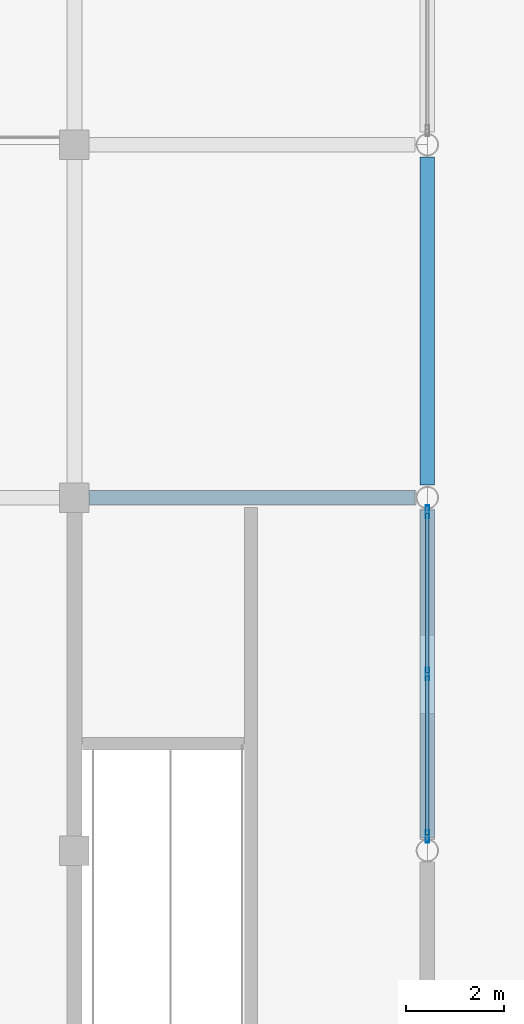
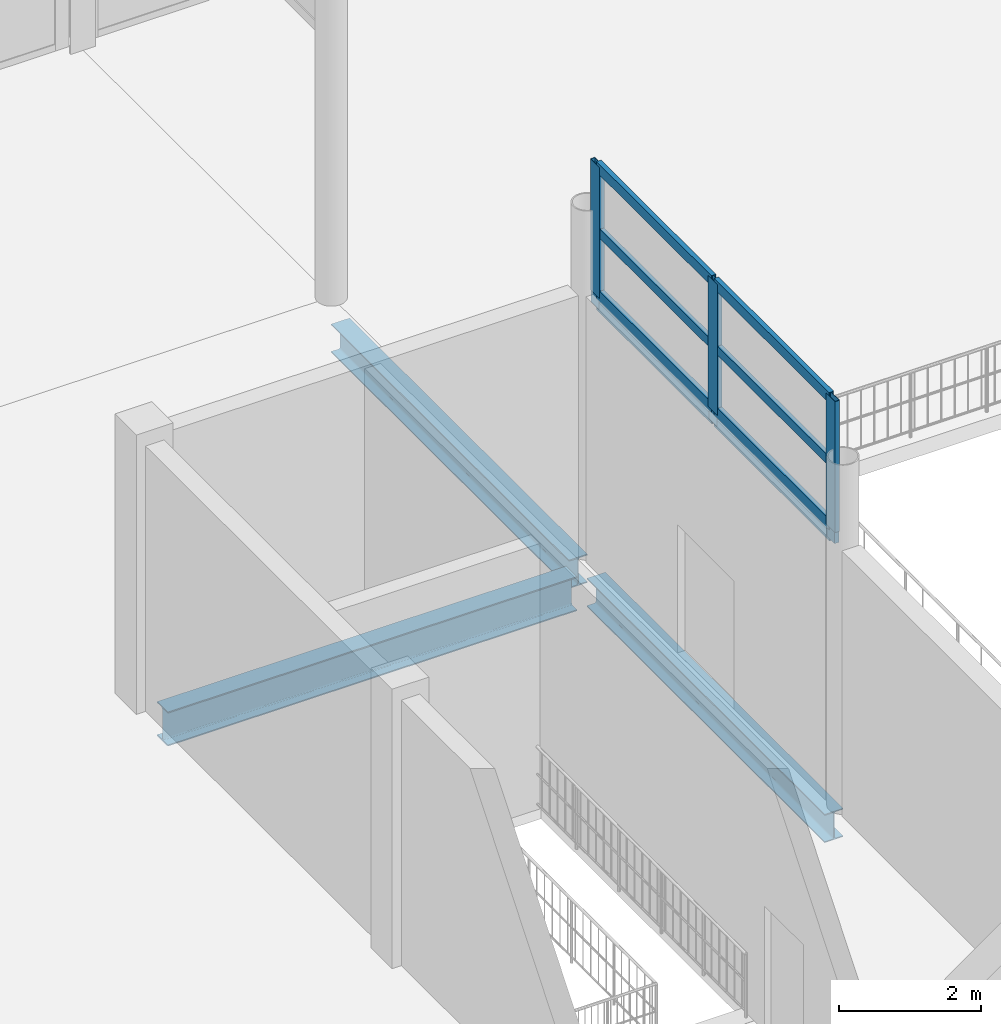
# One storey, part 56 of 120: 14 members, 3 beams, 2 elements without a shape of their own.
"""IFC4 building model written with IfcOpenShell, lengths in metres."""

from ifc_helpers import new_model, si_unit, direction, frame, origin, origin_2d, place, context, subcontext, project, spatial, hollow_rectangle, i_section, extrude, material, material_profile, profile_set, type_object, element, aggregate, save


model = new_model("IFC4")

# Units and contexts
model_context = context("Model", 3, precision=1e-05, world=origin(), true_north=direction((0.0, 1.0)))
body_context = subcontext(model_context, "Body", "Model", "MODEL_VIEW")
ifc_project = project(units=[si_unit("LENGTHUNIT", "METRE"), si_unit("AREAUNIT", "SQUARE_METRE"), si_unit("VOLUMEUNIT", "CUBIC_METRE"), si_unit("PLANEANGLEUNIT", "RADIAN"), si_unit("MASSUNIT", "GRAM", prefix="KILO")], contexts=[model_context])

# Site, building, storey
site_placement = place(None, origin())
site = spatial("IfcSite", under=ifc_project, at=site_placement, CompositionType="ELEMENT")
building_placement = place(site_placement, origin())
building = spatial("IfcBuilding", under=site, at=building_placement, Name="Vesperath Aquatics Centre", CompositionType="ELEMENT")
storey_placement = place(building_placement, frame((0.0, 0.0, 10.199951171875)))
storey = spatial("IfcBuildingStorey", under=building, at=storey_placement, Name="L02", CompositionType="ELEMENT", Elevation=10.199951171875)

# Beams
ifc_material_1 = material(Name="Steel Q355C", Category="steel")
ifc_material_profile_1 = material_profile(ifc_material_1, i_section(OverallWidth=0.300048828125, OverallDepth=0.587890625, WebThickness=0.011962890625, FlangeThickness=0.02001953125, FilletRadius=0.028076171875, at=origin_2d()), Name="HM 588x300x12x20")
ifc_profile_set_1 = profile_set([ifc_material_profile_1], Name="Steel Q355C")
beam_type_1 = type_object("IfcBeamType", Name="BM-G09", PredefinedType="BEAM", material=ifc_profile_set_1)
beam_placement = place(storey_placement, frame((93.89990234375, 72.0, -0.553955078125), z_axis=(1.0, 0.0, 0.0), x_axis=(0.0, 1.0, 0.0)))
element("IfcBeam", 1, at=beam_placement, inside=storey, type_object=beam_type_1, Name="Floor Girder B09 L02 L 14-15", PredefinedType="BEAM", context=body_context, shape_type="SweptSolid", body=[
    extrude(i_section(OverallWidth=0.300048828125, OverallDepth=0.587890625, WebThickness=0.011962890625, FlangeThickness=0.02001953125, FilletRadius=0.028076171875, at=origin_2d()), origin(), (0.0, 0.0, 1.0), 6.64599609375),
])
ifc_material_profile_2 = material_profile(ifc_material_1, i_section(OverallWidth=0.300048828125, OverallDepth=0.488037109375, WebThickness=0.010986328125, FlangeThickness=0.01806640625, FilletRadius=0.02587890625, at=origin_2d()), Name="HM 488x300x11x18")
ifc_profile_set_2 = profile_set([ifc_material_profile_2], Name="Steel Q355C")
beam_type_2 = type_object("IfcBeamType", Name="BM-G10", PredefinedType="BEAM", material=ifc_profile_set_2)
for number, where, z_axis, x_axis, name in (
    (2, (100.800048828125, 65.053955078125, -0.50390625), (0.0, 1.0, 0.0), (-1.0, 0.0, 0.0), "Floor Girder B10 L02 15 K-L"),
    (3, (100.800048828125, 72.25390625, -0.50390625), (0.0, 1.0, 0.0), (-1.0, 0.0, 0.0), "Floor Girder B10 L02 15 L-M"),
):
    element("IfcBeam", number, at=place(storey_placement, frame(where, z_axis=z_axis, x_axis=x_axis)), inside=storey, type_object=beam_type_2, Name=name, PredefinedType="BEAM", context=body_context, shape_type="SweptSolid", body=[
        extrude(i_section(OverallWidth=0.300048828125, OverallDepth=0.488037109375, WebThickness=0.010986328125, FlangeThickness=0.01806640625, FilletRadius=0.02587890625, at=origin_2d()), origin(), (0.0, 0.0, 1.0), 6.692138671875),
    ])

# Curtain wall, members
ifc_material_2 = material(Name="Thermally broken anodised bronze aluminium curtain wall", Category="aluminium")
curtain_wall_type_1 = type_object("IfcCurtainWallType", Name="CW-09", PredefinedType="NOTDEFINED", material=ifc_material_2)
curtain_wall_1_placement = place(storey_placement, origin())
curtain_wall_1 = element("IfcCurtainWall", 4, at=curtain_wall_1_placement, inside=storey, type_object=curtain_wall_type_1, Name="Natatorium End Clerestory Curtain Wall CW09 E-10", PredefinedType="NOTDEFINED")
ifc_material_3 = material(Name="Thermally broken anodised aluminium", Category="aluminium")
ifc_material_profile_3 = material_profile(ifc_material_3, hollow_rectangle(XDim=0.074951171875, YDim=0.260009765625, WallThickness=0.006103515625, at=origin_2d()), Name="CWM 75x260x6")
ifc_profile_set_3 = profile_set([ifc_material_profile_3], Name="Thermally broken anodised aluminium")
member_type_1 = type_object("IfcMemberType", Name="MB-CWM1", PredefinedType="MULLION", material=ifc_profile_set_3)
member_1_placement = place(storey_placement, frame((100.800048828125, 65.08740234375, 4.60009765625), z_axis=(0.0, 0.0, 1.0), x_axis=(-1.0, 0.0, 0.0)))
member_1 = element("IfcMember", 5, at=member_1_placement, type_object=member_type_1, Name="CW09 mullion 1", PredefinedType="MULLION", context=body_context, shape_type="SweptSolid", body=[
    extrude(hollow_rectangle(XDim=0.074951171875, YDim=0.260009765625, WallThickness=0.006103515625, at=origin_2d()), origin(), (0.0, 0.0, 1.0), 2.25),
])
member_2_placement = place(storey_placement, frame((100.800048828125, 68.39990234375, 4.60009765625), z_axis=(0.0, 0.0, 1.0), x_axis=(-1.0, 0.0, 0.0)))
member_2 = element("IfcMember", 6, at=member_2_placement, type_object=member_type_1, Name="CW09 mullion 2", PredefinedType="MULLION", context=body_context, shape_type="SweptSolid", body=[
    extrude(hollow_rectangle(XDim=0.074951171875, YDim=0.260009765625, WallThickness=0.006103515625, at=origin_2d()), origin(), (0.0, 0.0, 1.0), 2.25),
])
member_3_placement = place(storey_placement, frame((100.800048828125, 71.71240234375, 4.60009765625), z_axis=(0.0, 0.0, 1.0), x_axis=(-1.0, 0.0, 0.0)))
member_3 = element("IfcMember", 7, at=member_3_placement, type_object=member_type_1, Name="CW09 mullion 3", PredefinedType="MULLION", context=body_context, shape_type="SweptSolid", body=[
    extrude(hollow_rectangle(XDim=0.074951171875, YDim=0.260009765625, WallThickness=0.006103515625, at=origin_2d()), origin(), (0.0, 0.0, 1.0), 2.25),
])

curtain_wall_type_2 = type_object("IfcCurtainWallType", Name="CW-10", PredefinedType="NOTDEFINED", material=ifc_material_2)
curtain_wall_2_placement = place(storey_placement, origin())
curtain_wall_2 = element("IfcCurtainWall", 8, at=curtain_wall_2_placement, inside=storey, type_object=curtain_wall_type_2, Name="Conservatory Vault Clerestory CW10 W-10", PredefinedType="NOTDEFINED")
ifc_material_profile_4 = material_profile(ifc_material_3, hollow_rectangle(XDim=0.070068359375, YDim=0.219970703125, WallThickness=0.0048828125, at=origin_2d()), Name="CWM 70x220x5")
ifc_profile_set_4 = profile_set([ifc_material_profile_4], Name="Thermally broken anodised aluminium")
member_type_2 = type_object("IfcMemberType", Name="MB-CWM2", PredefinedType="MULLION", material=ifc_profile_set_4)
member_4_placement = place(storey_placement, frame((100.800048828125, 65.0849609375, 4.400146484375), z_axis=(0.0, 0.0, 1.0), x_axis=(-1.0, 0.0, 0.0)))
member_4 = element("IfcMember", 9, at=member_4_placement, type_object=member_type_2, Name="CW10 mullion 1", PredefinedType="MULLION", context=body_context, shape_type="SweptSolid", body=[
    extrude(hollow_rectangle(XDim=0.070068359375, YDim=0.219970703125, WallThickness=0.0048828125, at=origin_2d()), origin(), (0.0, 0.0, 1.0), 1.349853515625),
])
member_5_placement = place(storey_placement, frame((100.800048828125, 68.39990234375, 4.400146484375), z_axis=(0.0, 0.0, 1.0), x_axis=(-1.0, 0.0, 0.0)))
member_5 = element("IfcMember", 10, at=member_5_placement, type_object=member_type_2, Name="CW10 mullion 2", PredefinedType="MULLION", context=body_context, shape_type="SweptSolid", body=[
    extrude(hollow_rectangle(XDim=0.070068359375, YDim=0.219970703125, WallThickness=0.0048828125, at=origin_2d()), origin(), (0.0, 0.0, 1.0), 1.349853515625),
])
member_6_placement = place(storey_placement, frame((100.800048828125, 71.715087890625, 4.400146484375), z_axis=(0.0, 0.0, 1.0), x_axis=(-1.0, 0.0, 0.0)))
member_6 = element("IfcMember", 11, at=member_6_placement, type_object=member_type_2, Name="CW10 mullion 3", PredefinedType="MULLION", context=body_context, shape_type="SweptSolid", body=[
    extrude(hollow_rectangle(XDim=0.070068359375, YDim=0.219970703125, WallThickness=0.0048828125, at=origin_2d()), origin(), (0.0, 0.0, 1.0), 1.349853515625),
])

# Member
ifc_material_profile_5 = material_profile(ifc_material_3, hollow_rectangle(XDim=0.074951171875, YDim=0.179931640625, WallThickness=0.0048828125, at=origin_2d()), Name="CWT 75x180x5")
ifc_profile_set_5 = profile_set([ifc_material_profile_5], Name="Thermally broken anodised aluminium")
member_type_3 = type_object("IfcMemberType", Name="MB-CWT1", PredefinedType="USERDEFINED", material=ifc_profile_set_5)
member_7_placement = place(storey_placement, frame((100.800048828125, 65.125, 4.637451171875), z_axis=(0.0, 1.0, 0.0), x_axis=(-1.0, 0.0, 0.0)))
member_7 = element("IfcMember", 12, at=member_7_placement, type_object=member_type_3, Name="CW09 transom 1.1", ObjectType="TRANSOM", PredefinedType="USERDEFINED", context=body_context, shape_type="SweptSolid", body=[
    extrude(hollow_rectangle(XDim=0.074951171875, YDim=0.179931640625, WallThickness=0.0048828125, at=origin_2d()), origin(), (0.0, 0.0, 1.0), 3.237548828125),
])

member_8_placement = place(storey_placement, frame((100.800048828125, 65.125, 6.8125), z_axis=(0.0, 1.0, 0.0), x_axis=(-1.0, 0.0, 0.0)))
member_8 = element("IfcMember", 13, at=member_8_placement, type_object=member_type_3, Name="CW09 transom 1.2", ObjectType="TRANSOM", PredefinedType="USERDEFINED", context=body_context, shape_type="SweptSolid", body=[
    extrude(hollow_rectangle(XDim=0.074951171875, YDim=0.179931640625, WallThickness=0.0048828125, at=origin_2d()), origin(), (0.0, 0.0, 1.0), 3.237548828125),
])

member_9_placement = place(storey_placement, frame((100.800048828125, 68.4375, 4.637451171875), z_axis=(0.0, 1.0, 0.0), x_axis=(-1.0, 0.0, 0.0)))
member_9 = element("IfcMember", 14, at=member_9_placement, type_object=member_type_3, Name="CW09 transom 2.1", ObjectType="TRANSOM", PredefinedType="USERDEFINED", context=body_context, shape_type="SweptSolid", body=[
    extrude(hollow_rectangle(XDim=0.074951171875, YDim=0.179931640625, WallThickness=0.0048828125, at=origin_2d()), origin(), (0.0, 0.0, 1.0), 3.237548828125),
])

member_10_placement = place(storey_placement, frame((100.800048828125, 68.4375, 6.8125), z_axis=(0.0, 1.0, 0.0), x_axis=(-1.0, 0.0, 0.0)))
member_10 = element("IfcMember", 15, at=member_10_placement, type_object=member_type_3, Name="CW09 transom 2.2", ObjectType="TRANSOM", PredefinedType="USERDEFINED", context=body_context, shape_type="SweptSolid", body=[
    extrude(hollow_rectangle(XDim=0.074951171875, YDim=0.179931640625, WallThickness=0.0048828125, at=origin_2d()), origin(), (0.0, 0.0, 1.0), 3.237548828125),
])

aggregate(curtain_wall_1, [member_1, member_2, member_3, member_7, member_8, member_9, member_10])

ifc_material_profile_6 = material_profile(ifc_material_3, hollow_rectangle(XDim=0.070068359375, YDim=0.159912109375, WallThickness=0.0048828125, at=origin_2d()), Name="CWT 70x160x5")
ifc_profile_set_6 = profile_set([ifc_material_profile_6], Name="Thermally broken anodised aluminium")
member_type_4 = type_object("IfcMemberType", Name="MB-CWT2", PredefinedType="USERDEFINED", material=ifc_profile_set_6)
member_11_placement = place(storey_placement, frame((100.800048828125, 65.1201171875, 4.43505859375), z_axis=(0.0, 1.0, 0.0), x_axis=(-1.0, 0.0, 0.0)))
member_11 = element("IfcMember", 16, at=member_11_placement, type_object=member_type_4, Name="CW10 transom 1.1", ObjectType="TRANSOM", PredefinedType="USERDEFINED", context=body_context, shape_type="SweptSolid", body=[
    extrude(hollow_rectangle(XDim=0.070068359375, YDim=0.159912109375, WallThickness=0.0048828125, at=origin_2d()), origin(), (0.0, 0.0, 1.0), 3.244873046875),
])

member_12_placement = place(storey_placement, frame((100.800048828125, 65.1201171875, 5.715087890625), z_axis=(0.0, 1.0, 0.0), x_axis=(-1.0, 0.0, 0.0)))
member_12 = element("IfcMember", 17, at=member_12_placement, type_object=member_type_4, Name="CW10 transom 1.2", ObjectType="TRANSOM", PredefinedType="USERDEFINED", context=body_context, shape_type="SweptSolid", body=[
    extrude(hollow_rectangle(XDim=0.070068359375, YDim=0.159912109375, WallThickness=0.0048828125, at=origin_2d()), origin(), (0.0, 0.0, 1.0), 3.244873046875),
])

member_13_placement = place(storey_placement, frame((100.800048828125, 68.43505859375, 4.43505859375), z_axis=(0.0, 1.0, 0.0), x_axis=(-1.0, 0.0, 0.0)))
member_13 = element("IfcMember", 18, at=member_13_placement, type_object=member_type_4, Name="CW10 transom 2.1", ObjectType="TRANSOM", PredefinedType="USERDEFINED", context=body_context, shape_type="SweptSolid", body=[
    extrude(hollow_rectangle(XDim=0.070068359375, YDim=0.159912109375, WallThickness=0.0048828125, at=origin_2d()), origin(), (0.0, 0.0, 1.0), 3.244873046875),
])

member_14_placement = place(storey_placement, frame((100.800048828125, 68.43505859375, 5.715087890625), z_axis=(0.0, 1.0, 0.0), x_axis=(-1.0, 0.0, 0.0)))
member_14 = element("IfcMember", 19, at=member_14_placement, type_object=member_type_4, Name="CW10 transom 2.2", ObjectType="TRANSOM", PredefinedType="USERDEFINED", context=body_context, shape_type="SweptSolid", body=[
    extrude(hollow_rectangle(XDim=0.070068359375, YDim=0.159912109375, WallThickness=0.0048828125, at=origin_2d()), origin(), (0.0, 0.0, 1.0), 3.244873046875),
])

aggregate(curtain_wall_2, [member_4, member_5, member_6, member_11, member_12, member_13, member_14])

save(model, "model.ifc")
